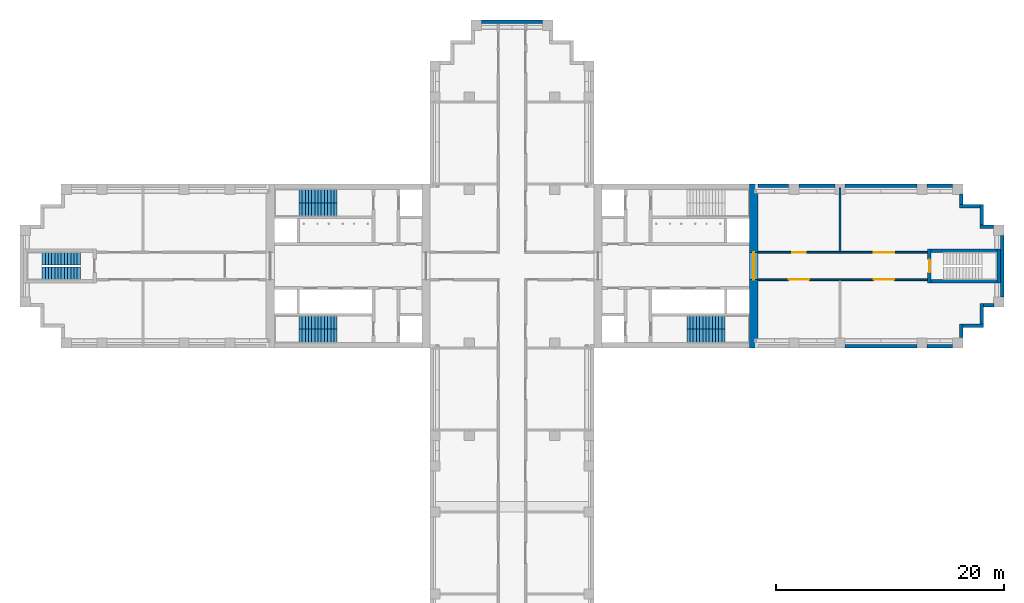
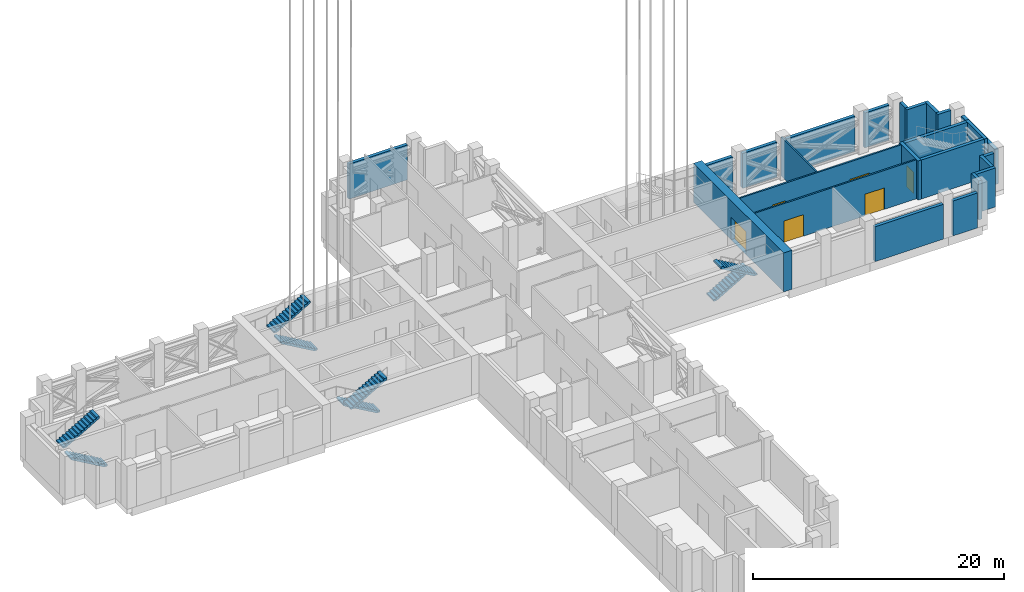
# One storey, part 8 of 22: 24 walls, 8 stair flights, 6 doors, 6 openings, 4 elements without a shape of their own.
"""IFC4 building model written with IfcOpenShell, lengths in metres."""

from ifc_helpers import new_model, si_unit, direction, frame, frame_2d, origin, place, context, subcontext, project, spatial, polyline, rectangle, outline, extrude, material, layer, layer_set, type_object, element, fill, aggregate, save


model = new_model("IFC4")

# Units and contexts
model_context = context("Model", 3, precision=1e-05, world=origin(), true_north=direction((0.0, 1.0)))
body_context = subcontext(model_context, "Body", "Model", "MODEL_VIEW")
ifc_project = project(units=[si_unit("LENGTHUNIT", "METRE"), si_unit("AREAUNIT", "SQUARE_METRE"), si_unit("VOLUMEUNIT", "CUBIC_METRE"), si_unit("PLANEANGLEUNIT", "RADIAN"), si_unit("MASSUNIT", "GRAM", prefix="KILO")], contexts=[model_context])

# Site, building, storey
site_placement = place(None, origin())
site = spatial("IfcSite", under=ifc_project, at=site_placement, CompositionType="ELEMENT")
building_placement = place(site_placement, origin())
building = spatial("IfcBuilding", under=site, at=building_placement, Name="Fustian Cross Tower", CompositionType="ELEMENT")
storey_placement = place(building_placement, frame((0.0, 0.0, 111.89990234375)))
storey = spatial("IfcBuildingStorey", under=building, at=storey_placement, Name="L35", CompositionType="ELEMENT", Elevation=111.89990234375)

# Wall, openings, doors
ifc_material_1 = material(Name="Plasterboard on steel stud", Category="steel")
ifc_layer_1 = layer(ifc_material_1, 0.14990234375)
ifc_layer_set_1 = layer_set([ifc_layer_1], Name="Plasterboard on steel stud")
wall_type_1 = type_object("IfcWallType", Name="COMPARTMENT WALL 150 EI 60", PredefinedType="PARTITIONING", material=ifc_layer_set_1)
wall_1_placement = place(storey_placement, frame((21.60009765625, -1.199951171875, 0.0), z_axis=(0.0, 0.0, 1.0), x_axis=(1.0, 0.0, 0.0)))
wall_1 = element("IfcWall", 1, at=wall_1_placement, inside=storey, type_object=wall_type_1, Name="Partition 26", PredefinedType="PARTITIONING", context=body_context, shape_type="SweptSolid", body=[
    extrude(rectangle(XDim=14.89990234375, YDim=0.14990234375, at=frame_2d((7.449951171875, 0.0))), origin(), (0.0, 0.0, 1.0), 3.800048828125),
])
opening_1_placement = place(wall_1_placement, frame((2.699951171875, 0.0, 0.0)))
opening_1 = element("IfcOpeningElement", 2, at=opening_1_placement, cuts=wall_1, Name="Opening D16029", PredefinedType="OPENING", context=body_context, shape_type="SweptSolid", body=[
    extrude(rectangle(XDim=1.800048828125, YDim=2.10009765625, at=frame_2d((0.89990234375, 1.050048828125))), frame((0.0, 0.0849609375, 0.0), z_axis=(0.0, -1.0, 0.0), x_axis=(1.0, 0.0, 0.0)), (0.0, 0.0, 1.0), 0.169921875),
])
opening_2_placement = place(wall_1_placement, frame((10.14990234375, 0.0, 0.0)))
opening_2 = element("IfcOpeningElement", 3, at=opening_2_placement, cuts=wall_1, Name="Opening D16030", PredefinedType="OPENING", context=body_context, shape_type="SweptSolid", body=[
    extrude(rectangle(XDim=1.800048828125, YDim=2.10009765625, at=frame_2d((0.89990234375, 1.050048828125))), frame((0.0, 0.0849609375, 0.0), z_axis=(0.0, -1.0, 0.0), x_axis=(1.0, 0.0, 0.0)), (0.0, 0.0, 1.0), 0.169921875),
])
ifc_material_2 = material(Name="Timber fire door set", Category="wood")
door_type_1 = type_object("IfcDoorType", Name="FIRE DOUBLE DOOR 1800 FD60S", OperationType="DOUBLE_DOOR_DOUBLE_SWING", PredefinedType="DOOR", material=ifc_material_2)
door_1_placement = place(opening_1_placement, origin())
door_1 = element("IfcDoor", 4, at=door_1_placement, inside=storey, type_object=door_type_1, Name="Door D16029", OperationType="DOUBLE_DOOR_DOUBLE_SWING", OverallHeight=2.10009765625, OverallWidth=1.800048828125, PredefinedType="DOOR", context=body_context, shape_type="SweptSolid", body=[
    extrude(rectangle(XDim=1.800048828125, YDim=2.10009765625, at=frame_2d((0.89990234375, 1.050048828125))), frame((0.0, 0.02490234375, 0.0), z_axis=(0.0, -1.0, 0.0), x_axis=(1.0, 0.0, 0.0)), (0.0, 0.0, 1.0), 0.050048828125),
])
fill(opening_1, door_1)
door_2_placement = place(opening_2_placement, origin())
door_2 = element("IfcDoor", 5, at=door_2_placement, inside=storey, type_object=door_type_1, Name="Door D16030", OperationType="DOUBLE_DOOR_DOUBLE_SWING", OverallHeight=2.10009765625, OverallWidth=1.800048828125, PredefinedType="DOOR", context=body_context, shape_type="SweptSolid", body=[
    extrude(rectangle(XDim=1.800048828125, YDim=2.10009765625, at=frame_2d((0.89990234375, 1.050048828125))), frame((0.0, 0.02490234375, 0.0), z_axis=(0.0, -1.0, 0.0), x_axis=(1.0, 0.0, 0.0)), (0.0, 0.0, 1.0), 0.050048828125),
])
fill(opening_2, door_2)

wall_2_placement = place(storey_placement, frame((21.60009765625, 1.199951171875, 0.0), z_axis=(0.0, 0.0, 1.0), x_axis=(1.0, 0.0, 0.0)))
wall_2 = element("IfcWall", 6, at=wall_2_placement, inside=storey, type_object=wall_type_1, Name="Partition 27", PredefinedType="PARTITIONING", context=body_context, shape_type="SweptSolid", body=[
    extrude(rectangle(XDim=14.89990234375, YDim=0.14990234375, at=frame_2d((7.449951171875, 0.0))), origin(), (0.0, 0.0, 1.0), 3.800048828125),
])
opening_3_placement = place(wall_2_placement, frame((3.0, 0.0, 0.0)))
opening_3 = element("IfcOpeningElement", 7, at=opening_3_placement, cuts=wall_2, Name="Opening D16027", PredefinedType="OPENING", context=body_context, shape_type="SweptSolid", body=[
    extrude(rectangle(XDim=1.199951171875, YDim=2.10009765625, at=frame_2d((0.60009765625, 1.050048828125))), frame((0.0, 0.0849609375, 0.0), z_axis=(0.0, -1.0, 0.0), x_axis=(1.0, 0.0, 0.0)), (0.0, 0.0, 1.0), 0.169921875),
])
opening_4_placement = place(wall_2_placement, frame((10.14990234375, 0.0, 0.0)))
opening_4 = element("IfcOpeningElement", 8, at=opening_4_placement, cuts=wall_2, Name="Opening D16028", PredefinedType="OPENING", context=body_context, shape_type="SweptSolid", body=[
    extrude(rectangle(XDim=1.800048828125, YDim=2.10009765625, at=frame_2d((0.89990234375, 1.050048828125))), frame((0.0, 0.0849609375, 0.0), z_axis=(0.0, -1.0, 0.0), x_axis=(1.0, 0.0, 0.0)), (0.0, 0.0, 1.0), 0.169921875),
])
door_3_placement = place(opening_4_placement, frame((1.800048828125, 0.0, 0.0), z_axis=(0.0, 0.0, 1.0), x_axis=(-1.0, 0.0, 0.0)))
door_3 = element("IfcDoor", 9, at=door_3_placement, inside=storey, type_object=door_type_1, Name="Door D16028", OperationType="DOUBLE_DOOR_DOUBLE_SWING", OverallHeight=2.10009765625, OverallWidth=1.800048828125, PredefinedType="DOOR", context=body_context, shape_type="SweptSolid", body=[
    extrude(rectangle(XDim=1.800048828125, YDim=2.10009765625, at=frame_2d((0.89990234375, 1.050048828125))), frame((0.0, 0.02490234375, 0.0), z_axis=(0.0, -1.0, 0.0), x_axis=(1.0, 0.0, 0.0)), (0.0, 0.0, 1.0), 0.050048828125),
])
fill(opening_4, door_3)
ifc_material_3 = material(Name="Timber fire door set", Category="wood")
door_type_2 = type_object("IfcDoorType", Name="FIRE SWING DOOR 1200 FD60S", OperationType="SINGLE_SWING_LEFT", PredefinedType="DOOR", material=ifc_material_3)
door_4_placement = place(opening_3_placement, origin())
door_4 = element("IfcDoor", 10, at=door_4_placement, inside=storey, type_object=door_type_2, Name="Door D16027", OperationType="SINGLE_SWING_LEFT", OverallHeight=2.10009765625, OverallWidth=1.199951171875, PredefinedType="DOOR", context=body_context, shape_type="SweptSolid", body=[
    extrude(rectangle(XDim=1.199951171875, YDim=2.10009765625, at=frame_2d((0.60009765625, 1.050048828125))), frame((0.0, 0.02490234375, 0.0), z_axis=(0.0, -1.0, 0.0), x_axis=(1.0, 0.0, 0.0)), (0.0, 0.0, 1.0), 0.050048828125),
])
fill(opening_3, door_4)

# Wall
wall_3_placement = place(storey_placement, frame((28.800048828125, 1.27490234375, 0.0), z_axis=(0.0, 0.0, 1.0), x_axis=(0.0, 1.0, 0.0)))
element("IfcWall", 11, at=wall_3_placement, inside=storey, type_object=wall_type_1, Name="Partition 29", PredefinedType="PARTITIONING", context=body_context, shape_type="SweptSolid", body=[
    extrude(rectangle(XDim=5.625, YDim=0.14990234375, at=frame_2d((2.8125, 0.0))), origin(), (0.0, 0.0, 1.0), 3.800048828125),
])

# Wall, opening, door
ifc_material_4 = material(Name="Concrete C70/85", Category="concrete")
ifc_layer_2 = layer(ifc_material_4, 0.75)
ifc_layer_set_2 = layer_set([ifc_layer_2], Name="Concrete C70/85")
wall_type_2 = type_object("IfcWallType", Name="CORE END WALL 750 C70/85", PredefinedType="SHEAR", material=ifc_layer_set_2)
wall_4_placement = place(storey_placement, frame((21.22509765625, -7.199951171875, 0.0), z_axis=(0.0, 0.0, 1.0), x_axis=(0.0, 1.0, 0.0)))
wall_4 = element("IfcWall", 12, at=wall_4_placement, inside=storey, type_object=wall_type_2, Name="Core end wall", PredefinedType="SHEAR", context=body_context, shape_type="SweptSolid", body=[
    extrude(rectangle(XDim=14.39990234375, YDim=0.75, at=frame_2d((7.199951171875, 0.0))), origin(), (0.0, 0.0, 1.0), 3.800048828125),
])
opening_5_placement = place(wall_4_placement, frame((6.0, 0.0, 0.0)))
opening_5 = element("IfcOpeningElement", 13, at=opening_5_placement, cuts=wall_4, Name="Opening CD-13-13", PredefinedType="OPENING", context=body_context, shape_type="SweptSolid", body=[
    extrude(rectangle(XDim=2.39990234375, YDim=2.199951171875, at=frame_2d((1.199951171875, 1.10009765625))), frame((0.0, 0.385009765625, 0.0), z_axis=(0.0, -1.0, 0.0), x_axis=(1.0, 0.0, 0.0)), (0.0, 0.0, 1.0), 0.77001953125),
])
ifc_material_5 = material(Name="Steel", Category="steel")
door_type_3 = type_object("IfcDoorType", Name="FIRE DOOR FD30S DOUBLE 2400X2200", OperationType="DOUBLE_DOOR_DOUBLE_SWING", PredefinedType="DOOR", material=ifc_material_5)
door_5_placement = place(opening_5_placement, origin())
door_5 = element("IfcDoor", 14, at=door_5_placement, inside=storey, type_object=door_type_3, Name="Core door CD-13-13", OperationType="DOUBLE_DOOR_DOUBLE_SWING", OverallHeight=2.199951171875, OverallWidth=2.39990234375, PredefinedType="DOOR", context=body_context, shape_type="SweptSolid", body=[
    extrude(rectangle(XDim=2.39990234375, YDim=2.199951171875, at=frame_2d((1.199951171875, 1.10009765625))), frame((0.0, 0.02490234375, 0.0), z_axis=(0.0, -1.0, 0.0), x_axis=(1.0, 0.0, 0.0)), (0.0, 0.0, 1.0), 0.050048828125),
])
fill(opening_5, door_5)

ifc_material_6 = material(Name="Concrete C50/60", Category="concrete")
ifc_layer_3 = layer(ifc_material_6, 0.300048828125)
ifc_layer_set_3 = layer_set([ifc_layer_3], Name="Concrete C50/60")
wall_type_3 = type_object("IfcWallType", Name="STAIR ENCLOSURE WALL 300 C50/60", PredefinedType="SHEAR", material=ifc_layer_set_3)
wall_5_placement = place(storey_placement, frame((36.64990234375, -1.5, 0.0), z_axis=(0.0, 0.0, 1.0), x_axis=(0.0, 1.0, 0.0)))
wall_5 = element("IfcWall", 15, at=wall_5_placement, inside=storey, type_object=wall_type_3, Name="Stair enclosure wall", PredefinedType="SHEAR", context=body_context, shape_type="SweptSolid", body=[
    extrude(rectangle(XDim=3.0, YDim=0.300048828125, at=frame_2d((1.5, 0.0))), origin(), (0.0, 0.0, 1.0), 3.800048828125),
])
opening_6_placement = place(wall_5_placement, frame((0.949951171875, 0.0, 0.0)))
opening_6 = element("IfcOpeningElement", 16, at=opening_6_placement, cuts=wall_5, Name="Opening CD-13-28", PredefinedType="OPENING", context=body_context, shape_type="SweptSolid", body=[
    extrude(rectangle(XDim=1.10009765625, YDim=2.10009765625, at=frame_2d((0.550048828125, 1.050048828125))), frame((0.0, 0.159912109375, 0.0), z_axis=(0.0, -1.0, 0.0), x_axis=(1.0, 0.0, 0.0)), (0.0, 0.0, 1.0), 0.320068359375),
])
ifc_material_7 = material(Name="Steel", Category="steel")
door_type_4 = type_object("IfcDoorType", Name="FIRE DOOR FD60S 1100X2100", OperationType="SINGLE_SWING_LEFT", PredefinedType="DOOR", material=ifc_material_7)
door_6_placement = place(opening_6_placement, frame((1.10009765625, 0.0, 0.0), z_axis=(0.0, 0.0, 1.0), x_axis=(-1.0, 0.0, 0.0)))
door_6 = element("IfcDoor", 17, at=door_6_placement, inside=storey, type_object=door_type_4, Name="Core door CD-13-28", OperationType="SINGLE_SWING_RIGHT", OverallHeight=2.10009765625, OverallWidth=1.10009765625, PredefinedType="DOOR", context=body_context, shape_type="SweptSolid", body=[
    extrude(rectangle(XDim=1.10009765625, YDim=2.10009765625, at=frame_2d((0.550048828125, 1.050048828125))), frame((0.0, 0.02490234375, 0.0), z_axis=(0.0, -1.0, 0.0), x_axis=(1.0, 0.0, 0.0)), (0.0, 0.0, 1.0), 0.050048828125),
])
fill(opening_6, door_6)

# Walls
wall_6_placement = place(storey_placement, frame((42.75, -1.5, 0.0), z_axis=(0.0, 0.0, 1.0), x_axis=(0.0, 1.0, 0.0)))
element("IfcWall", 18, at=wall_6_placement, inside=storey, type_object=wall_type_3, Name="Stair enclosure wall", PredefinedType="SHEAR", context=body_context, shape_type="SweptSolid", body=[
    extrude(rectangle(XDim=3.0, YDim=0.300048828125, at=frame_2d((1.5, 0.0))), origin(), (0.0, 0.0, 1.0), 3.800048828125),
])
for number, where, z_axis, x_axis, name in (
    (19, (36.800048828125, -1.35009765625, 0.0), (0.0, 0.0, 1.0), (1.0, 0.0, 0.0), "Stair enclosure wall"),
    (20, (36.800048828125, 1.35009765625, 0.0), (0.0, 0.0, 1.0), (1.0, 0.0, 0.0), "Stair enclosure wall"),
):
    element("IfcWall", number, at=place(storey_placement, frame(where, z_axis=z_axis, x_axis=x_axis)), inside=storey, type_object=wall_type_3, Name=name, PredefinedType="SHEAR", context=body_context, shape_type="SweptSolid", body=[
        extrude(rectangle(XDim=5.800048828125, YDim=0.300048828125, at=frame_2d((2.89990234375, 0.0))), origin(), (0.0, 0.0, 1.0), 3.800048828125),
    ])
ifc_material_8 = material(Name="Dark aluminium louvres on insulated backing wall", Category="aluminium")
ifc_layer_4 = layer(ifc_material_8, 0.300048828125)
ifc_layer_set_4 = layer_set([ifc_layer_4], Name="Dark aluminium louvres on insulated backing wall")
wall_type_4 = type_object("IfcWallType", Name="XW2 LOUVRED PLANT WALL 300", PredefinedType="SOLIDWALL", material=ifc_layer_set_4)
wall_7_placement = place(storey_placement, frame((29.25, -7.050048828125, 0.0), z_axis=(0.0, 0.0, 1.0), x_axis=(1.0, 0.0, 0.0)))
element("IfcWall", 21, at=wall_7_placement, inside=storey, type_object=wall_type_4, Name="Plant louvre wall", PredefinedType="SOLIDWALL", context=body_context, shape_type="SweptSolid", body=[
    extrude(rectangle(XDim=6.300048828125, YDim=0.300048828125, at=frame_2d((3.14990234375, 0.0))), origin(), (0.0, 0.0, 1.0), 3.400146484375),
])
wall_8_placement = place(storey_placement, frame((36.449951171875, -7.050048828125, 0.0), z_axis=(0.0, 0.0, 1.0), x_axis=(1.0, 0.0, 0.0)))
element("IfcWall", 22, at=wall_8_placement, inside=storey, type_object=wall_type_4, Name="Plant louvre wall", PredefinedType="SOLIDWALL", context=body_context, shape_type="SweptSolid", body=[
    extrude(rectangle(XDim=2.25, YDim=0.300048828125, at=frame_2d((1.125, 0.0))), origin(), (0.0, 0.0, 1.0), 3.400146484375),
])
wall_9_placement = place(storey_placement, frame((39.449951171875, -6.300048828125, 0.0), z_axis=(0.0, 0.0, 1.0), x_axis=(0.0, 1.0, 0.0)))
element("IfcWall", 23, at=wall_9_placement, inside=storey, type_object=wall_type_4, Name="Plant louvre wall", PredefinedType="SOLIDWALL", context=body_context, shape_type="SweptSolid", body=[
    extrude(rectangle(XDim=1.199951171875, YDim=0.300048828125, at=frame_2d((0.60009765625, 0.0))), origin(), (0.0, 0.0, 1.0), 3.800048828125),
])
wall_10_placement = place(storey_placement, frame((39.60009765625, -5.25, 0.0), z_axis=(0.0, 0.0, 1.0), x_axis=(1.0, 0.0, 0.0)))
element("IfcWall", 24, at=wall_10_placement, inside=storey, type_object=wall_type_4, Name="Plant louvre wall", PredefinedType="SOLIDWALL", context=body_context, shape_type="SweptSolid", body=[
    extrude(rectangle(XDim=1.7998046875, YDim=0.300048828125, at=frame_2d((0.89990234375, 0.0))), origin(), (0.0, 0.0, 1.0), 3.800048828125),
])
wall_11_placement = place(storey_placement, frame((41.25, -5.10009765625, 0.0), z_axis=(0.0, 0.0, 1.0), x_axis=(0.0, 1.0, 0.0)))
element("IfcWall", 25, at=wall_11_placement, inside=storey, type_object=wall_type_4, Name="Plant louvre wall", PredefinedType="SOLIDWALL", context=body_context, shape_type="SweptSolid", body=[
    extrude(rectangle(XDim=1.800048828125, YDim=0.300048828125, at=frame_2d((0.89990234375, 0.0))), origin(), (0.0, 0.0, 1.0), 3.800048828125),
])
wall_12_placement = place(storey_placement, frame((41.39990234375, -3.449951171875, 0.0), z_axis=(0.0, 0.0, 1.0), x_axis=(1.0, 0.0, 0.0)))
element("IfcWall", 26, at=wall_12_placement, inside=storey, type_object=wall_type_4, Name="Plant louvre wall", PredefinedType="SOLIDWALL", context=body_context, shape_type="SweptSolid", body=[
    extrude(rectangle(XDim=0.900146484375, YDim=0.300048828125, at=frame_2d((0.4501953125, 0.0))), origin(), (0.0, 0.0, 1.0), 3.800048828125),
])
wall_13_placement = place(storey_placement, frame((43.050048828125, -2.699951171875, 0.0), z_axis=(0.0, 0.0, 1.0), x_axis=(0.0, 1.0, 0.0)))
element("IfcWall", 27, at=wall_13_placement, inside=storey, type_object=wall_type_4, Name="Plant louvre wall", PredefinedType="SOLIDWALL", context=body_context, shape_type="SweptSolid", body=[
    extrude(rectangle(XDim=5.39990234375, YDim=0.300048828125, at=frame_2d((2.699951171875, 0.0))), origin(), (0.0, 0.0, 1.0), 3.400146484375),
])
wall_14_placement = place(storey_placement, frame((42.300048828125, 3.449951171875, 0.0), z_axis=(0.0, 0.0, 1.0), x_axis=(-1.0, 0.0, 0.0)))
element("IfcWall", 28, at=wall_14_placement, inside=storey, type_object=wall_type_4, Name="Plant louvre wall", PredefinedType="SOLIDWALL", context=body_context, shape_type="SweptSolid", body=[
    extrude(rectangle(XDim=1.199951171875, YDim=0.300048828125, at=frame_2d((0.60009765625, 0.0))), origin(), (0.0, 0.0, 1.0), 3.800048828125),
])
wall_15_placement = place(storey_placement, frame((41.25, 3.60009765625, 0.0), z_axis=(0.0, 0.0, 1.0), x_axis=(0.0, 1.0, 0.0)))
element("IfcWall", 29, at=wall_15_placement, inside=storey, type_object=wall_type_4, Name="Plant louvre wall", PredefinedType="SOLIDWALL", context=body_context, shape_type="SweptSolid", body=[
    extrude(rectangle(XDim=1.7998046875, YDim=0.300048828125, at=frame_2d((0.89990234375, 0.0))), origin(), (0.0, 0.0, 1.0), 3.800048828125),
])
wall_16_placement = place(storey_placement, frame((41.10009765625, 5.25, 0.0), z_axis=(0.0, 0.0, 1.0), x_axis=(-1.0, 0.0, 0.0)))
element("IfcWall", 30, at=wall_16_placement, inside=storey, type_object=wall_type_4, Name="Plant louvre wall", PredefinedType="SOLIDWALL", context=body_context, shape_type="SweptSolid", body=[
    extrude(rectangle(XDim=1.800048828125, YDim=0.300048828125, at=frame_2d((0.89990234375, 0.0))), origin(), (0.0, 0.0, 1.0), 3.800048828125),
])
wall_17_placement = place(storey_placement, frame((39.449951171875, 5.39990234375, 0.0), z_axis=(0.0, 0.0, 1.0), x_axis=(0.0, 1.0, 0.0)))
element("IfcWall", 31, at=wall_17_placement, inside=storey, type_object=wall_type_4, Name="Plant louvre wall", PredefinedType="SOLIDWALL", context=body_context, shape_type="SweptSolid", body=[
    extrude(rectangle(XDim=0.900146484375, YDim=0.300048828125, at=frame_2d((0.4501953125, 0.0))), origin(), (0.0, 0.0, 1.0), 3.800048828125),
])
wall_18_placement = place(storey_placement, frame((38.699951171875, 7.050048828125, 0.0), z_axis=(0.0, 0.0, 1.0), x_axis=(-1.0, 0.0, 0.0)))
element("IfcWall", 32, at=wall_18_placement, inside=storey, type_object=wall_type_4, Name="Plant louvre wall", PredefinedType="SOLIDWALL", context=body_context, shape_type="SweptSolid", body=[
    extrude(rectangle(XDim=2.25, YDim=0.300048828125, at=frame_2d((1.125, 0.0))), origin(), (0.0, 0.0, 1.0), 3.400146484375),
])
wall_19_placement = place(storey_placement, frame((35.550048828125, 7.050048828125, 0.0), z_axis=(0.0, 0.0, 1.0), x_axis=(-1.0, 0.0, 0.0)))
element("IfcWall", 33, at=wall_19_placement, inside=storey, type_object=wall_type_4, Name="Plant louvre wall", PredefinedType="SOLIDWALL", context=body_context, shape_type="SweptSolid", body=[
    extrude(rectangle(XDim=6.300048828125, YDim=0.300048828125, at=frame_2d((3.14990234375, 0.0))), origin(), (0.0, 0.0, 1.0), 3.400146484375),
])
wall_20_placement = place(storey_placement, frame((28.35009765625, 7.050048828125, 0.0), z_axis=(0.0, 0.0, 1.0), x_axis=(-1.0, 0.0, 0.0)))
element("IfcWall", 34, at=wall_20_placement, inside=storey, type_object=wall_type_4, Name="Plant louvre wall", PredefinedType="SOLIDWALL", context=body_context, shape_type="SweptSolid", body=[
    extrude(rectangle(XDim=3.150146484375, YDim=0.300048828125, at=frame_2d((1.5751953125, 0.0))), origin(), (0.0, 0.0, 1.0), 3.400146484375),
])
wall_21_placement = place(storey_placement, frame((24.300048828125, 7.050048828125, 0.0), z_axis=(0.0, 0.0, 1.0), x_axis=(-1.0, 0.0, 0.0)))
element("IfcWall", 35, at=wall_21_placement, inside=storey, type_object=wall_type_4, Name="Plant louvre wall", PredefinedType="SOLIDWALL", context=body_context, shape_type="SweptSolid", body=[
    extrude(rectangle(XDim=2.699951171875, YDim=0.300048828125, at=frame_2d((1.35009765625, 0.0))), origin(), (0.0, 0.0, 1.0), 3.400146484375),
])
wall_22_placement = place(storey_placement, frame((2.699951171875, 21.449951171875, 0.0), z_axis=(0.0, 0.0, 1.0), x_axis=(-1.0, 0.0, 0.0)))
element("IfcWall", 36, at=wall_22_placement, inside=storey, type_object=wall_type_4, Name="Plant louvre wall", PredefinedType="SOLIDWALL", context=body_context, shape_type="SweptSolid", body=[
    extrude(rectangle(XDim=5.39990234375, YDim=0.300048828125, at=frame_2d((2.699951171875, 0.0))), origin(), (0.0, 0.0, 1.0), 3.400146484375),
])

# Stair, stair flights
ifc_material_9 = material(Name="Concrete C50/60", Category="concrete")
stair_type_1 = type_object("IfcStairType", Name="STAIR 1100 HALF TURN", PredefinedType="HALF_TURN_STAIR", material=ifc_material_9)
stair_1_placement = place(storey_placement, origin())
stair_1 = element("IfcStair", 37, at=stair_1_placement, inside=storey, type_object=stair_type_1, Name="Stair ST9", PredefinedType="HALF_TURN_STAIR")
ifc_material_10 = material(Name="Concrete C50/60", Category="concrete")
stair_flight_type_1 = type_object("IfcStairFlightType", Name="STAIR FLIGHT 1100", PredefinedType="STRAIGHT", material=ifc_material_10)
stair_flight_1_placement = place(storey_placement, frame((-37.89990234375, -0.64990234375, 0.0), z_axis=(0.0, 0.0, 1.0), x_axis=(-1.0, 0.0, 0.0)))
stair_flight_1 = element("IfcStairFlight", 38, at=stair_flight_1_placement, type_object=stair_flight_type_1, Name="ST9 flight 1", NumberOfRisers=13, NumberOfTreads=12, PredefinedType="STRAIGHT", RiserHeight=0.161538462, TreadLength=0.28, context=body_context, shape_type="SweptSolid", body=[
    extrude(outline(polyline([(0.0, 0.0), (0.0, 0.16162109375), (0.280029296875, 0.16162109375), (0.280029296875, 0.322998046875), (0.56005859375, 0.322998046875), (0.56005859375, 0.484619140625), (0.840087890625, 0.484619140625), (0.840087890625, 0.646240234375), (1.1201171875, 0.646240234375), (1.1201171875, 0.8076171875), (1.39990234375, 0.8076171875), (1.39990234375, 0.96923828125), (1.679931640625, 0.96923828125), (1.679931640625, 1.130859375), (1.9599609375, 1.130859375), (1.9599609375, 1.292236328125), (2.239990234375, 1.292236328125), (2.239990234375, 1.453857421875), (2.52001953125, 1.453857421875), (2.52001953125, 1.615478515625), (2.800048828125, 1.615478515625), (2.800048828125, 1.77685546875), (3.080078125, 1.77685546875), (3.080078125, 1.9384765625), (3.360107421875, 1.9384765625), (3.360107421875, 2.10009765625), (3.360107421875, 1.765380859375), (0.300048828125, 0.0), (0.0, 0.0)])), frame((0.0, 0.550048828125, 0.0), z_axis=(0.0, -1.0, 0.0), x_axis=(1.0, 0.0, 0.0)), (0.0, 0.0, 1.0), 1.10009765625),
])
stair_flight_2_placement = place(storey_placement, frame((-41.260009765625, 0.64990234375, 2.10009765625), z_axis=(0.0, 0.0, 1.0), x_axis=(1.0, 0.0, 0.0)))
stair_flight_2 = element("IfcStairFlight", 39, at=stair_flight_2_placement, type_object=stair_flight_type_1, Name="ST9 flight 2", NumberOfRisers=13, NumberOfTreads=12, PredefinedType="STRAIGHT", RiserHeight=0.161538462, TreadLength=0.28, context=body_context, shape_type="SweptSolid", body=[
    extrude(outline(polyline([(0.0, 0.0), (0.0, 0.16162109375), (0.280029296875, 0.16162109375), (0.280029296875, 0.322998046875), (0.56005859375, 0.322998046875), (0.56005859375, 0.484619140625), (0.840087890625, 0.484619140625), (0.840087890625, 0.646240234375), (1.1201171875, 0.646240234375), (1.1201171875, 0.8076171875), (1.39990234375, 0.8076171875), (1.39990234375, 0.96923828125), (1.679931640625, 0.96923828125), (1.679931640625, 1.130859375), (1.9599609375, 1.130859375), (1.9599609375, 1.292236328125), (2.239990234375, 1.292236328125), (2.239990234375, 1.453857421875), (2.52001953125, 1.453857421875), (2.52001953125, 1.615478515625), (2.800048828125, 1.615478515625), (2.800048828125, 1.77685546875), (3.080078125, 1.77685546875), (3.080078125, 1.9384765625), (3.360107421875, 1.9384765625), (3.360107421875, 2.10009765625), (3.360107421875, 1.765380859375), (0.300048828125, 0.0), (0.0, 0.0)])), frame((0.0, 0.550048828125, 0.0), z_axis=(0.0, -1.0, 0.0), x_axis=(1.0, 0.0, 0.0)), (0.0, 0.0, 1.0), 1.10009765625),
])
aggregate(stair_1, [stair_flight_1, stair_flight_2])

ifc_material_11 = material(Name="Concrete C50/60", Category="concrete")
stair_type_2 = type_object("IfcStairType", Name="STAIR 1150 HALF TURN", PredefinedType="HALF_TURN_STAIR", material=ifc_material_11)
stair_2_placement = place(storey_placement, origin())
stair_2 = element("IfcStair", 40, at=stair_2_placement, inside=storey, type_object=stair_type_2, Name="Stair ST2", PredefinedType="HALF_TURN_STAIR")
ifc_material_12 = material(Name="Concrete C50/60", Category="concrete")
stair_flight_type_2 = type_object("IfcStairFlightType", Name="STAIR FLIGHT 1150", PredefinedType="STRAIGHT", material=ifc_material_12)
stair_flight_3_placement = place(storey_placement, frame((15.35009765625, -4.97509765625, 0.0), z_axis=(0.0, 0.0, 1.0), x_axis=(1.0, 0.0, 0.0)))
stair_flight_3 = element("IfcStairFlight", 41, at=stair_flight_3_placement, type_object=stair_flight_type_2, Name="ST2 flight 1", NumberOfRisers=13, NumberOfTreads=12, PredefinedType="STRAIGHT", RiserHeight=0.161538462, TreadLength=0.28, context=body_context, shape_type="SweptSolid", body=[
    extrude(outline(polyline([(0.0, 0.0), (0.0, 0.16162109375), (0.280029296875, 0.16162109375), (0.280029296875, 0.322998046875), (0.56005859375, 0.322998046875), (0.56005859375, 0.484619140625), (0.840087890625, 0.484619140625), (0.840087890625, 0.646240234375), (1.1201171875, 0.646240234375), (1.1201171875, 0.8076171875), (1.39990234375, 0.8076171875), (1.39990234375, 0.96923828125), (1.679931640625, 0.96923828125), (1.679931640625, 1.130859375), (1.9599609375, 1.130859375), (1.9599609375, 1.292236328125), (2.239990234375, 1.292236328125), (2.239990234375, 1.453857421875), (2.52001953125, 1.453857421875), (2.52001953125, 1.615478515625), (2.800048828125, 1.615478515625), (2.800048828125, 1.77685546875), (3.080078125, 1.77685546875), (3.080078125, 1.9384765625), (3.360107421875, 1.9384765625), (3.360107421875, 2.10009765625), (3.360107421875, 1.765380859375), (0.300048828125, 0.0), (0.0, 0.0)])), frame((0.0, 0.574951171875, 0.0), z_axis=(0.0, -1.0, 0.0), x_axis=(1.0, 0.0, 0.0)), (0.0, 0.0, 1.0), 1.14990234375),
])
stair_flight_4_placement = place(storey_placement, frame((18.7099609375, -6.125, 2.10009765625), z_axis=(0.0, 0.0, 1.0), x_axis=(-1.0, 0.0, 0.0)))
stair_flight_4 = element("IfcStairFlight", 42, at=stair_flight_4_placement, type_object=stair_flight_type_2, Name="ST2 flight 2", NumberOfRisers=13, NumberOfTreads=12, PredefinedType="STRAIGHT", RiserHeight=0.161538462, TreadLength=0.28, context=body_context, shape_type="SweptSolid", body=[
    extrude(outline(polyline([(0.0, 0.0), (0.0, 0.16162109375), (0.280029296875, 0.16162109375), (0.280029296875, 0.322998046875), (0.56005859375, 0.322998046875), (0.56005859375, 0.484619140625), (0.840087890625, 0.484619140625), (0.840087890625, 0.646240234375), (1.1201171875, 0.646240234375), (1.1201171875, 0.8076171875), (1.39990234375, 0.8076171875), (1.39990234375, 0.96923828125), (1.679931640625, 0.96923828125), (1.679931640625, 1.130859375), (1.9599609375, 1.130859375), (1.9599609375, 1.292236328125), (2.239990234375, 1.292236328125), (2.239990234375, 1.453857421875), (2.52001953125, 1.453857421875), (2.52001953125, 1.615478515625), (2.800048828125, 1.615478515625), (2.800048828125, 1.77685546875), (3.080078125, 1.77685546875), (3.080078125, 1.9384765625), (3.360107421875, 1.9384765625), (3.360107421875, 2.10009765625), (3.360107421875, 1.765380859375), (0.300048828125, 0.0), (0.0, 0.0)])), frame((0.0, 0.574951171875, 0.0), z_axis=(0.0, -1.0, 0.0), x_axis=(1.0, 0.0, 0.0)), (0.0, 0.0, 1.0), 1.14990234375),
])
aggregate(stair_2, [stair_flight_3, stair_flight_4])

stair_3_placement = place(storey_placement, origin())
stair_3 = element("IfcStair", 43, at=stair_3_placement, inside=storey, type_object=stair_type_2, Name="Stair ST3", PredefinedType="HALF_TURN_STAIR")
stair_flight_5_placement = place(storey_placement, frame((-15.35009765625, 4.97509765625, 0.0), z_axis=(0.0, 0.0, 1.0), x_axis=(-1.0, 0.0, 0.0)))
stair_flight_5 = element("IfcStairFlight", 44, at=stair_flight_5_placement, type_object=stair_flight_type_2, Name="ST3 flight 1", NumberOfRisers=13, NumberOfTreads=12, PredefinedType="STRAIGHT", RiserHeight=0.161538462, TreadLength=0.28, context=body_context, shape_type="SweptSolid", body=[
    extrude(outline(polyline([(0.0, 0.0), (0.0, 0.16162109375), (0.280029296875, 0.16162109375), (0.280029296875, 0.322998046875), (0.56005859375, 0.322998046875), (0.56005859375, 0.484619140625), (0.840087890625, 0.484619140625), (0.840087890625, 0.646240234375), (1.1201171875, 0.646240234375), (1.1201171875, 0.8076171875), (1.39990234375, 0.8076171875), (1.39990234375, 0.96923828125), (1.679931640625, 0.96923828125), (1.679931640625, 1.130859375), (1.9599609375, 1.130859375), (1.9599609375, 1.292236328125), (2.239990234375, 1.292236328125), (2.239990234375, 1.453857421875), (2.52001953125, 1.453857421875), (2.52001953125, 1.615478515625), (2.800048828125, 1.615478515625), (2.800048828125, 1.77685546875), (3.080078125, 1.77685546875), (3.080078125, 1.9384765625), (3.360107421875, 1.9384765625), (3.360107421875, 2.10009765625), (3.360107421875, 1.765380859375), (0.300048828125, 0.0), (0.0, 0.0)])), frame((0.0, 0.574951171875, 0.0), z_axis=(0.0, -1.0, 0.0), x_axis=(1.0, 0.0, 0.0)), (0.0, 0.0, 1.0), 1.14990234375),
])
stair_flight_6_placement = place(storey_placement, frame((-18.7099609375, 6.125, 2.10009765625), z_axis=(0.0, 0.0, 1.0), x_axis=(1.0, 0.0, 0.0)))
stair_flight_6 = element("IfcStairFlight", 45, at=stair_flight_6_placement, type_object=stair_flight_type_2, Name="ST3 flight 2", NumberOfRisers=13, NumberOfTreads=12, PredefinedType="STRAIGHT", RiserHeight=0.161538462, TreadLength=0.28, context=body_context, shape_type="SweptSolid", body=[
    extrude(outline(polyline([(0.0, 0.0), (0.0, 0.16162109375), (0.280029296875, 0.16162109375), (0.280029296875, 0.322998046875), (0.56005859375, 0.322998046875), (0.56005859375, 0.484619140625), (0.840087890625, 0.484619140625), (0.840087890625, 0.646240234375), (1.1201171875, 0.646240234375), (1.1201171875, 0.8076171875), (1.39990234375, 0.8076171875), (1.39990234375, 0.96923828125), (1.679931640625, 0.96923828125), (1.679931640625, 1.130859375), (1.9599609375, 1.130859375), (1.9599609375, 1.292236328125), (2.239990234375, 1.292236328125), (2.239990234375, 1.453857421875), (2.52001953125, 1.453857421875), (2.52001953125, 1.615478515625), (2.800048828125, 1.615478515625), (2.800048828125, 1.77685546875), (3.080078125, 1.77685546875), (3.080078125, 1.9384765625), (3.360107421875, 1.9384765625), (3.360107421875, 2.10009765625), (3.360107421875, 1.765380859375), (0.300048828125, 0.0), (0.0, 0.0)])), frame((0.0, 0.574951171875, 0.0), z_axis=(0.0, -1.0, 0.0), x_axis=(1.0, 0.0, 0.0)), (0.0, 0.0, 1.0), 1.14990234375),
])
aggregate(stair_3, [stair_flight_5, stair_flight_6])

stair_4_placement = place(storey_placement, origin())
stair_4 = element("IfcStair", 46, at=stair_4_placement, inside=storey, type_object=stair_type_2, Name="Stair ST4", PredefinedType="HALF_TURN_STAIR")
stair_flight_7_placement = place(storey_placement, frame((-15.35009765625, -4.97509765625, 0.0), z_axis=(0.0, 0.0, 1.0), x_axis=(-1.0, 0.0, 0.0)))
stair_flight_7 = element("IfcStairFlight", 47, at=stair_flight_7_placement, type_object=stair_flight_type_2, Name="ST4 flight 1", NumberOfRisers=13, NumberOfTreads=12, PredefinedType="STRAIGHT", RiserHeight=0.161538462, TreadLength=0.28, context=body_context, shape_type="SweptSolid", body=[
    extrude(outline(polyline([(0.0, 0.0), (0.0, 0.16162109375), (0.280029296875, 0.16162109375), (0.280029296875, 0.322998046875), (0.56005859375, 0.322998046875), (0.56005859375, 0.484619140625), (0.840087890625, 0.484619140625), (0.840087890625, 0.646240234375), (1.1201171875, 0.646240234375), (1.1201171875, 0.8076171875), (1.39990234375, 0.8076171875), (1.39990234375, 0.96923828125), (1.679931640625, 0.96923828125), (1.679931640625, 1.130859375), (1.9599609375, 1.130859375), (1.9599609375, 1.292236328125), (2.239990234375, 1.292236328125), (2.239990234375, 1.453857421875), (2.52001953125, 1.453857421875), (2.52001953125, 1.615478515625), (2.800048828125, 1.615478515625), (2.800048828125, 1.77685546875), (3.080078125, 1.77685546875), (3.080078125, 1.9384765625), (3.360107421875, 1.9384765625), (3.360107421875, 2.10009765625), (3.360107421875, 1.765380859375), (0.300048828125, 0.0), (0.0, 0.0)])), frame((0.0, 0.574951171875, 0.0), z_axis=(0.0, -1.0, 0.0), x_axis=(1.0, 0.0, 0.0)), (0.0, 0.0, 1.0), 1.14990234375),
])
stair_flight_8_placement = place(storey_placement, frame((-18.7099609375, -6.125, 2.10009765625), z_axis=(0.0, 0.0, 1.0), x_axis=(1.0, 0.0, 0.0)))
stair_flight_8 = element("IfcStairFlight", 48, at=stair_flight_8_placement, type_object=stair_flight_type_2, Name="ST4 flight 2", NumberOfRisers=13, NumberOfTreads=12, PredefinedType="STRAIGHT", RiserHeight=0.161538462, TreadLength=0.28, context=body_context, shape_type="SweptSolid", body=[
    extrude(outline(polyline([(0.0, 0.0), (0.0, 0.16162109375), (0.280029296875, 0.16162109375), (0.280029296875, 0.322998046875), (0.56005859375, 0.322998046875), (0.56005859375, 0.484619140625), (0.840087890625, 0.484619140625), (0.840087890625, 0.646240234375), (1.1201171875, 0.646240234375), (1.1201171875, 0.8076171875), (1.39990234375, 0.8076171875), (1.39990234375, 0.96923828125), (1.679931640625, 0.96923828125), (1.679931640625, 1.130859375), (1.9599609375, 1.130859375), (1.9599609375, 1.292236328125), (2.239990234375, 1.292236328125), (2.239990234375, 1.453857421875), (2.52001953125, 1.453857421875), (2.52001953125, 1.615478515625), (2.800048828125, 1.615478515625), (2.800048828125, 1.77685546875), (3.080078125, 1.77685546875), (3.080078125, 1.9384765625), (3.360107421875, 1.9384765625), (3.360107421875, 2.10009765625), (3.360107421875, 1.765380859375), (0.300048828125, 0.0), (0.0, 0.0)])), frame((0.0, 0.574951171875, 0.0), z_axis=(0.0, -1.0, 0.0), x_axis=(1.0, 0.0, 0.0)), (0.0, 0.0, 1.0), 1.14990234375),
])
aggregate(stair_4, [stair_flight_7, stair_flight_8])

save(model, "model.ifc")
